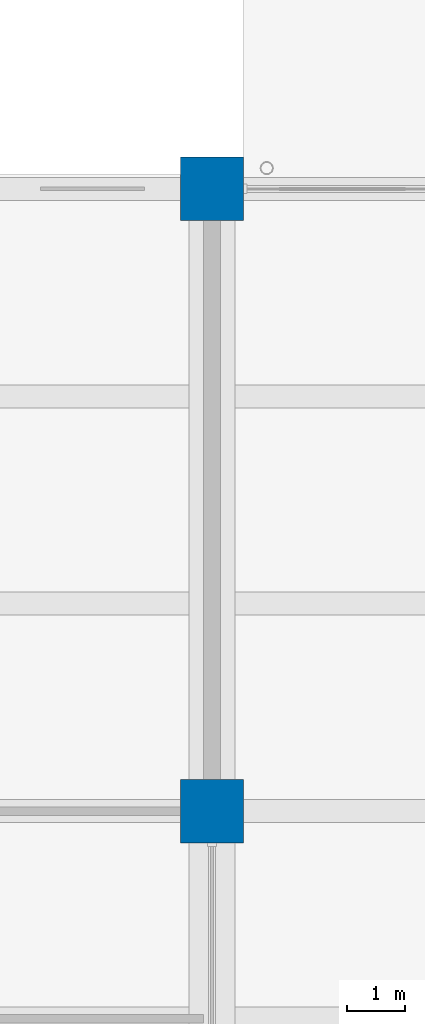
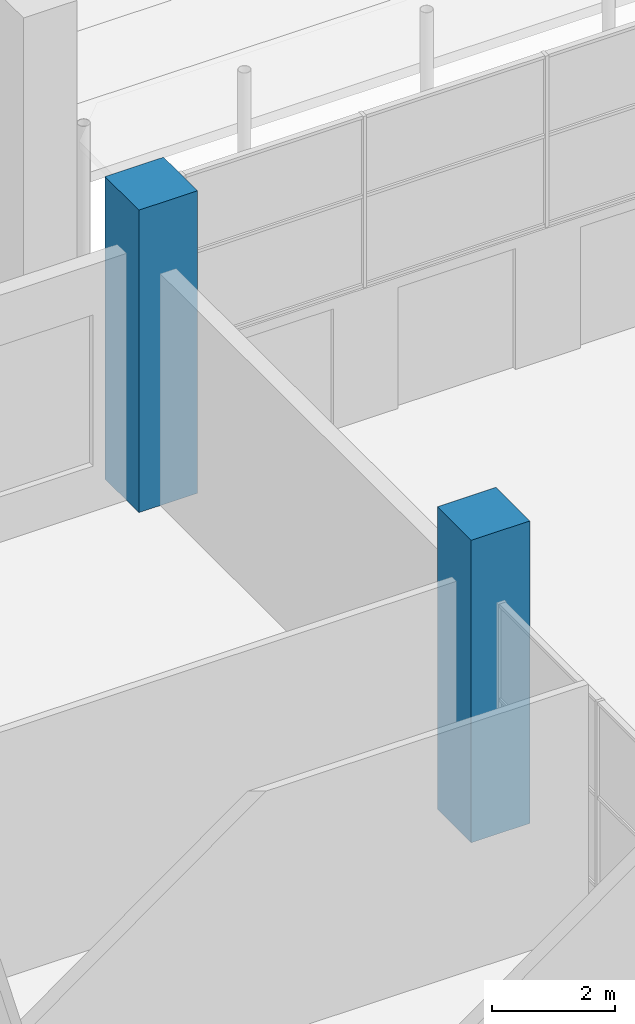
# One storey, part 11 of 71: 2 columns.
"""IFC4 building model written with IfcOpenShell, lengths in metres."""

from ifc_helpers import new_model, si_unit, direction, frame, origin, origin_2d, place, context, subcontext, project, spatial, rectangle, extrude, material, material_profile, profile_set, type_object, element, save


model = new_model("IFC4")

# Units and contexts
model_context = context("Model", 3, precision=1e-05, world=origin(), true_north=direction((0.0, 1.0)))
body_context = subcontext(model_context, "Body", "Model", "MODEL_VIEW")
ifc_project = project(units=[si_unit("LENGTHUNIT", "METRE"), si_unit("AREAUNIT", "SQUARE_METRE"), si_unit("VOLUMEUNIT", "CUBIC_METRE"), si_unit("PLANEANGLEUNIT", "RADIAN"), si_unit("MASSUNIT", "GRAM", prefix="KILO")], contexts=[model_context])

# Site, building, storey
site_placement = place(None, origin())
site = spatial("IfcSite", under=ifc_project, at=site_placement, CompositionType="ELEMENT")
building_placement = place(site_placement, origin())
building = spatial("IfcBuilding", under=site, at=building_placement, Name="Basin Gate Institute", CompositionType="ELEMENT")
storey_placement = place(building_placement, origin())
storey = spatial("IfcBuildingStorey", under=building, at=storey_placement, Name="L00", CompositionType="ELEMENT", Elevation=0.0)

# Columns
ifc_material = material(Name="Concrete 60 MPa", Category="concrete")
ifc_material_profile = material_profile(ifc_material, rectangle(XDim=1.10009765625, YDim=1.10009765625, at=origin_2d()), Name="Column C1 1100 x 1100")
ifc_profile_set = profile_set([ifc_material_profile], Name="Concrete 60 MPa")
column_type = type_object("IfcColumnType", Name="Column C1 R180", PredefinedType="COLUMN", material=ifc_profile_set)
for number, where, z_axis, x_axis, name in (
    (1, (79.199951171875, 89.10009765625, 0.0), (0.0, 0.0, 1.0), (1.0, 0.0, 0.0), "COL/L00/6F"),
    (2, (79.199951171875, 99.89990234375, 0.0), (0.0, 0.0, 1.0), (1.0, 0.0, 0.0), "COL/L00/6G"),
):
    element("IfcColumn", number, at=place(storey_placement, frame(where, z_axis=z_axis, x_axis=x_axis)), inside=storey, type_object=column_type, material=ifc_profile_set, Name=name, PredefinedType="COLUMN", context=body_context, shape_type="SweptSolid", body=[
        extrude(rectangle(XDim=1.10009765625, YDim=1.10009765625, at=origin_2d()), origin(), (0.0, 0.0, 1.0), 6.0),
    ])

save(model, "model.ifc")
